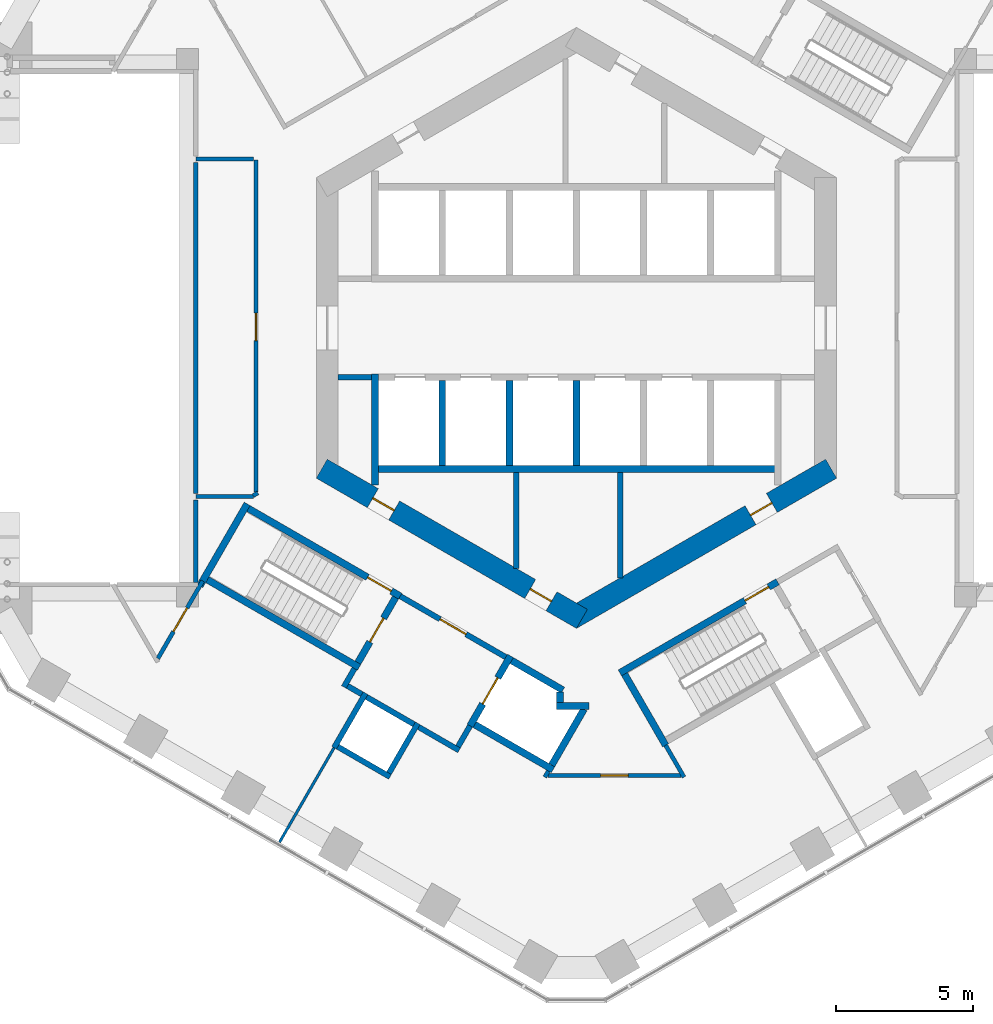
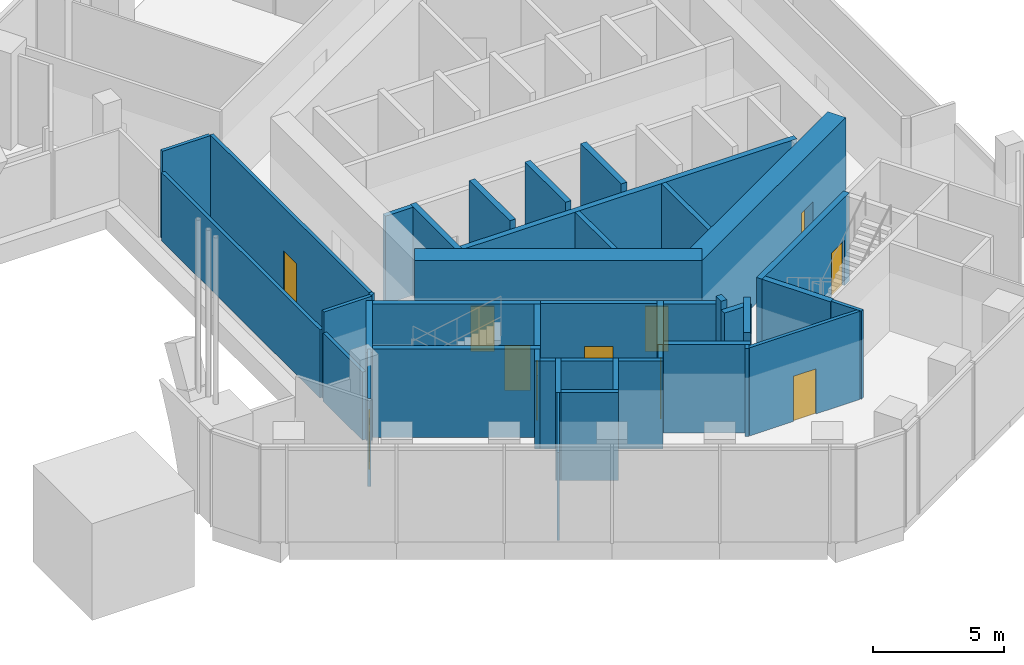
# One storey, part 9 of 14: 42 walls, 11 doors, 11 openings.
"""IFC4 building model written with IfcOpenShell, lengths in metres."""

from ifc_helpers import new_model, si_unit, direction, frame, frame_2d, origin, place, context, subcontext, project, spatial, rectangle, extrude, material, layer, layer_set, type_object, element, fill, save


model = new_model("IFC4")

# Units and contexts
model_context = context("Model", 3, precision=1e-05, world=origin(), true_north=direction((0.0, 1.0)))
body_context = subcontext(model_context, "Body", "Model", "MODEL_VIEW")
ifc_project = project(units=[si_unit("LENGTHUNIT", "METRE"), si_unit("AREAUNIT", "SQUARE_METRE"), si_unit("VOLUMEUNIT", "CUBIC_METRE"), si_unit("PLANEANGLEUNIT", "RADIAN"), si_unit("MASSUNIT", "GRAM", prefix="KILO")], contexts=[model_context])

# Site, building, storey
site_placement = place(None, origin())
site = spatial("IfcSite", under=ifc_project, at=site_placement, CompositionType="ELEMENT")
building_placement = place(site_placement, origin())
building = spatial("IfcBuilding", under=site, at=building_placement, Name="Ayvan Gate Tower", CompositionType="ELEMENT")
storey_placement = place(building_placement, frame((0.0, 0.0, 7.0)))
storey = spatial("IfcBuildingStorey", under=building, at=storey_placement, Name="L01", CompositionType="ELEMENT", Elevation=7.0)

# Wall, openings, doors
ifc_material_1 = material(Name="Concrete C70/85", Category="concrete")
ifc_layer_1 = layer(ifc_material_1, 0.800048828125)
ifc_layer_set_1 = layer_set([ifc_layer_1], Name="Concrete C70/85")
wall_type_1 = type_object("IfcWallType", Name="Core wall 800 C70/85", PredefinedType="SHEAR", material=ifc_layer_set_1)
wall_1_placement = place(storey_placement, frame((-9.300048828125, -5.138427734375, 0.0), z_axis=(0.0, 0.0, 1.0), x_axis=(0.866023993627, -0.500002442456, 0.0)))
wall_1 = element("IfcWall", 1, at=wall_1_placement, inside=storey, type_object=wall_type_1, Name="CORE-L01-4", PredefinedType="SHEAR", context=body_context, shape_type="SweptSolid", body=[
    extrude(rectangle(XDim=10.9697265625, YDim=0.800048828125, at=frame_2d((5.48486328125, 0.0))), origin(), (0.0, 0.0, 1.0), 4.5),
])
opening_1_placement = place(wall_1_placement, frame((2.1533203125, 0.0, 0.0)))
opening_1 = element("IfcOpeningElement", 2, at=opening_1_placement, cuts=wall_1, Name="Opening L01-D30", PredefinedType="OPENING", context=body_context, shape_type="SweptSolid", body=[
    extrude(rectangle(XDim=0.89990234375, YDim=2.10009765625, at=frame_2d((0.449951171875, 1.050048828125))), frame((0.0, 0.409912109375, 0.0), z_axis=(0.0, -1.0, 0.0), x_axis=(1.0, 0.0, 0.0)), (0.0, 0.0, 1.0), 0.820068359375),
])
opening_2_placement = place(wall_1_placement, frame((8.787109375, 0.0, 0.0)))
opening_2 = element("IfcOpeningElement", 3, at=opening_2_placement, cuts=wall_1, Name="Opening L01-D31", PredefinedType="OPENING", context=body_context, shape_type="SweptSolid", body=[
    extrude(rectangle(XDim=0.89990234375, YDim=2.10009765625, at=frame_2d((0.449951171875, 1.050048828125))), frame((0.0, 0.409912109375, 0.0), z_axis=(0.0, -1.0, 0.0), x_axis=(1.0, 0.0, 0.0)), (0.0, 0.0, 1.0), 0.820068359375),
])
ifc_material_2 = material(Name="Timber door leaf", Category="wood")
door_type_1 = type_object("IfcDoorType", Name="DT-900", OperationType="NOTDEFINED", PredefinedType="DOOR", material=ifc_material_2)
door_1_placement = place(opening_1_placement, origin())
door_1 = element("IfcDoor", 4, at=door_1_placement, inside=storey, type_object=door_type_1, Name="CD-L01-30", OperationType="SINGLE_SWING_LEFT", OverallHeight=2.10009765625, OverallWidth=0.89990234375, PredefinedType="DOOR", context=body_context, shape_type="SweptSolid", body=[
    extrude(rectangle(XDim=0.89990234375, YDim=2.10009765625, at=frame_2d((0.449951171875, 1.050048828125))), frame((0.0, 0.02490234375, 0.0), z_axis=(0.0, -1.0, 0.0), x_axis=(1.0, 0.0, 0.0)), (0.0, 0.0, 1.0), 0.050048828125),
])
fill(opening_1, door_1)
door_2_placement = place(opening_2_placement, origin())
door_2 = element("IfcDoor", 5, at=door_2_placement, inside=storey, type_object=door_type_1, Name="CD-L01-31", OperationType="SINGLE_SWING_RIGHT", OverallHeight=2.10009765625, OverallWidth=0.89990234375, PredefinedType="DOOR", context=body_context, shape_type="SweptSolid", body=[
    extrude(rectangle(XDim=0.89990234375, YDim=2.10009765625, at=frame_2d((0.449951171875, 1.050048828125))), frame((0.0, 0.02490234375, 0.0), z_axis=(0.0, -1.0, 0.0), x_axis=(1.0, 0.0, 0.0)), (0.0, 0.0, 1.0), 0.050048828125),
])
fill(opening_2, door_2)

# Wall, opening, door
wall_2_placement = place(storey_placement, frame((-0.199951171875, -10.623291015625, 0.0), z_axis=(0.0, 0.0, 1.0), x_axis=(0.866023993627, 0.500002442456, 0.0)))
wall_2 = element("IfcWall", 6, at=wall_2_placement, inside=storey, type_object=wall_type_1, Name="CORE-L01-5", PredefinedType="SHEAR", context=body_context, shape_type="SweptSolid", body=[
    extrude(rectangle(XDim=10.9697265625, YDim=0.800048828125, at=frame_2d((5.48486328125, 0.0))), origin(), (0.0, 0.0, 1.0), 4.5),
])
opening_3_placement = place(wall_2_placement, frame((7.570068359375, 0.0, 0.0)))
opening_3 = element("IfcOpeningElement", 7, at=opening_3_placement, cuts=wall_2, Name="Opening L01-D32", PredefinedType="OPENING", context=body_context, shape_type="SweptSolid", body=[
    extrude(rectangle(XDim=0.89990234375, YDim=2.10009765625, at=frame_2d((0.449951171875, 1.050048828125))), frame((0.0, 0.409912109375, 0.0), z_axis=(0.0, -1.0, 0.0), x_axis=(1.0, 0.0, 0.0)), (0.0, 0.0, 1.0), 0.820068359375),
])
door_3_placement = place(opening_3_placement, origin())
door_3 = element("IfcDoor", 8, at=door_3_placement, inside=storey, type_object=door_type_1, Name="CD-L01-32", OperationType="SINGLE_SWING_LEFT", OverallHeight=2.10009765625, OverallWidth=0.89990234375, PredefinedType="DOOR", context=body_context, shape_type="SweptSolid", body=[
    extrude(rectangle(XDim=0.89990234375, YDim=2.10009765625, at=frame_2d((0.449951171875, 1.050048828125))), frame((0.0, 0.02490234375, 0.0), z_axis=(0.0, -1.0, 0.0), x_axis=(1.0, 0.0, 0.0)), (0.0, 0.0, 1.0), 0.050048828125),
])
fill(opening_3, door_3)

# Walls
ifc_material_3 = material(Name="Plasterboard on steel stud", Category="steel")
ifc_layer_2 = layer(ifc_material_3, 0.14990234375)
ifc_layer_set_2 = layer_set([ifc_layer_2], Name="Plasterboard on steel stud")
wall_type_2 = type_object("IfcWallType", Name="WT-CORR-150", PredefinedType="PARTITIONING", material=ifc_layer_set_2)
wall_3_placement = place(storey_placement, frame((-13.89990234375, -9.29296875, 0.0), z_axis=(0.0, 0.0, 1.0), x_axis=(0.0, 1.0, 0.0)))
element("IfcWall", 9, at=wall_3_placement, inside=storey, type_object=wall_type_2, Name="IW-L01-010", PredefinedType="PARTITIONING", context=body_context, shape_type="SweptSolid", body=[
    extrude(rectangle(XDim=3.01220703125, YDim=0.14990234375, at=frame_2d((1.506103515625, 0.0))), origin(), (0.0, 0.0, 1.0), 3.175048828125),
])
wall_4_placement = place(storey_placement, frame((-13.89990234375, -6.160888671875, 0.0), z_axis=(0.0, 0.0, 1.0), x_axis=(1.0, 0.0, 0.0)))
element("IfcWall", 10, at=wall_4_placement, inside=storey, type_object=wall_type_2, Name="IW-L01-011", PredefinedType="PARTITIONING", context=body_context, shape_type="SweptSolid", body=[
    extrude(rectangle(XDim=2.10400390625, YDim=0.14990234375, at=frame_2d((1.052001953125, 0.0))), origin(), (0.0, 0.0, 1.0), 4.10009765625),
])
wall_5_placement = place(storey_placement, frame((-13.89990234375, -6.040771484375, 0.0), z_axis=(0.0, 0.0, 1.0), x_axis=(0.0, 1.0, 0.0)))
element("IfcWall", 11, at=wall_5_placement, inside=storey, type_object=wall_type_2, Name="IW-L01-012", PredefinedType="PARTITIONING", context=body_context, shape_type="SweptSolid", body=[
    extrude(rectangle(XDim=12.08154296875, YDim=0.14990234375, at=frame_2d((6.040771484375, 0.0))), origin(), (0.0, 0.0, 1.0), 3.175048828125),
])

# Wall, opening, door
wall_6_placement = place(storey_placement, frame((-13.647705078125, -9.23876953125, 0.0), z_axis=(0.0, 0.0, 1.0), x_axis=(-0.50004125829, -0.866001581989, 0.0)))
wall_6 = element("IfcWall", 12, at=wall_6_placement, inside=storey, type_object=wall_type_2, Name="IW-L01-016", PredefinedType="PARTITIONING", context=body_context, shape_type="SweptSolid", body=[
    extrude(rectangle(XDim=3.270263671875, YDim=0.14990234375, at=frame_2d((1.63525390625, 0.0))), origin(), (0.0, 0.0, 1.0), 4.10009765625),
])
opening_4_placement = place(wall_6_placement, frame((1.13525390625, 0.0, 0.0)))
opening_4 = element("IfcOpeningElement", 13, at=opening_4_placement, cuts=wall_6, Name="Opening L01-D24", PredefinedType="OPENING", context=body_context, shape_type="SweptSolid", body=[
    extrude(rectangle(XDim=1.0, YDim=2.10009765625, at=frame_2d((0.5, 1.050048828125))), frame((0.0, 0.0849609375, 0.0), z_axis=(0.0, -1.0, 0.0), x_axis=(1.0, 0.0, 0.0)), (0.0, 0.0, 1.0), 0.169921875),
])
door_type_2 = type_object("IfcDoorType", Name="DT-1000", OperationType="NOTDEFINED", PredefinedType="DOOR", material=ifc_material_2)
door_4_placement = place(opening_4_placement, origin())
door_4 = element("IfcDoor", 14, at=door_4_placement, inside=storey, type_object=door_type_2, Name="ID-L01-024", OperationType="SINGLE_SWING_LEFT", OverallHeight=2.10009765625, OverallWidth=1.0, PredefinedType="DOOR", context=body_context, shape_type="SweptSolid", body=[
    extrude(rectangle(XDim=1.0, YDim=2.10009765625, at=frame_2d((0.5, 1.050048828125))), frame((0.0, 0.02490234375, 0.0), z_axis=(0.0, -1.0, 0.0), x_axis=(1.0, 0.0, 0.0)), (0.0, 0.0, 1.0), 0.050048828125),
])
fill(opening_4, door_4)

# Walls
wall_7_placement = place(storey_placement, frame((-11.7958984375, 6.160888671875, 0.0), z_axis=(0.0, 0.0, 1.0), x_axis=(-1.0, 0.0, 0.0)))
element("IfcWall", 15, at=wall_7_placement, inside=storey, type_object=wall_type_2, Name="IW-L01-018", PredefinedType="PARTITIONING", context=body_context, shape_type="SweptSolid", body=[
    extrude(rectangle(XDim=2.10400390625, YDim=0.14990234375, at=frame_2d((1.052001953125, 0.0))), origin(), (0.0, 0.0, 1.0), 4.10009765625),
])
wall_8_placement = place(storey_placement, frame((-11.805908203125, -6.123291015625, 0.0), z_axis=(0.0, 0.0, 1.0), x_axis=(0.866103179807, 0.499865263774, 0.0)))
element("IfcWall", 16, at=wall_8_placement, inside=storey, type_object=wall_type_2, Name="IW-L01-019", PredefinedType="PARTITIONING", context=body_context, shape_type="SweptSolid", body=[
    extrude(rectangle(XDim=0.197265625, YDim=0.14990234375, at=frame_2d((0.0986328125, 0.0))), origin(), (0.0, 0.0, 1.0), 4.10009765625),
])

# Wall, opening, door
wall_9_placement = place(storey_placement, frame((-11.699951171875, -5.9873046875, 0.0), z_axis=(0.0, 0.0, 1.0), x_axis=(0.0, 1.0, 0.0)))
wall_9 = element("IfcWall", 17, at=wall_9_placement, inside=storey, type_object=wall_type_2, Name="IW-L01-020", PredefinedType="PARTITIONING", context=body_context, shape_type="SweptSolid", body=[
    extrude(rectangle(XDim=12.12451171875, YDim=0.14990234375, at=frame_2d((6.062255859375, 0.0))), origin(), (0.0, 0.0, 1.0), 4.10009765625),
])
opening_5_placement = place(wall_9_placement, frame((5.524658203125, 0.0, 0.0)))
opening_5 = element("IfcOpeningElement", 18, at=opening_5_placement, cuts=wall_9, Name="Opening L01-D26", PredefinedType="OPENING", context=body_context, shape_type="SweptSolid", body=[
    extrude(rectangle(XDim=1.0, YDim=2.10009765625, at=frame_2d((0.5, 1.050048828125))), frame((0.0, 0.0849609375, 0.0), z_axis=(0.0, -1.0, 0.0), x_axis=(1.0, 0.0, 0.0)), (0.0, 0.0, 1.0), 0.169921875),
])
door_5_placement = place(opening_5_placement, origin())
door_5 = element("IfcDoor", 19, at=door_5_placement, inside=storey, type_object=door_type_2, Name="ID-L01-026", OperationType="SINGLE_SWING_LEFT", OverallHeight=2.10009765625, OverallWidth=1.0, PredefinedType="DOOR", context=body_context, shape_type="SweptSolid", body=[
    extrude(rectangle(XDim=1.0, YDim=2.10009765625, at=frame_2d((0.5, 1.050048828125))), frame((0.0, 0.02490234375, 0.0), z_axis=(0.0, -1.0, 0.0), x_axis=(1.0, 0.0, 0.0)), (0.0, 0.0, 1.0), 0.050048828125),
])
fill(opening_5, door_5)

# Walls
wall_10_placement = place(storey_placement, frame((-1.1552734375, -16.40087890625, 0.0), z_axis=(0.0, 0.0, 1.0), x_axis=(0.500134748329, 0.865947592822, 0.0)))
element("IfcWall", 20, at=wall_10_placement, inside=storey, type_object=wall_type_2, Name="IW-L01-053", PredefinedType="PARTITIONING", context=body_context, shape_type="SweptSolid", body=[
    extrude(rectangle(XDim=0.25634765625, YDim=0.14990234375, at=frame_2d((0.128173828125, 0.0))), origin(), (0.0, 0.0, 1.0), 4.10009765625),
])
wall_11_placement = place(storey_placement, frame((3.255615234375, -15.23876953125, 0.0), z_axis=(0.0, 0.0, 1.0), x_axis=(0.499974444137, -0.866040157966, 0.0)))
element("IfcWall", 21, at=wall_11_placement, inside=storey, type_object=wall_type_2, Name="IW-L01-074", PredefinedType="PARTITIONING", context=body_context, shape_type="SweptSolid", body=[
    extrude(rectangle(XDim=1.341796875, YDim=0.14990234375, at=frame_2d((0.6708984375, 0.0))), origin(), (0.0, 0.0, 1.0), 4.10009765625),
])

# Wall, opening, door
wall_12_placement = place(storey_placement, frame((3.81396484375, -16.3359375, 0.0), z_axis=(0.0, 0.0, 1.0), x_axis=(-1.0, 0.0, 0.0)))
wall_12 = element("IfcWall", 22, at=wall_12_placement, inside=storey, type_object=wall_type_2, Name="IW-L01-078", PredefinedType="PARTITIONING", context=body_context, shape_type="SweptSolid", body=[
    extrude(rectangle(XDim=4.856689453125, YDim=0.14990234375, at=frame_2d((2.42822265625, 0.0))), origin(), (0.0, 0.0, 1.0), 4.10009765625),
])
opening_6_placement = place(wall_12_placement, frame((1.92822265625, 0.0, 0.0)))
opening_6 = element("IfcOpeningElement", 23, at=opening_6_placement, cuts=wall_12, Name="Opening L01-D21", PredefinedType="OPENING", context=body_context, shape_type="SweptSolid", body=[
    extrude(rectangle(XDim=1.0, YDim=2.10009765625, at=frame_2d((0.5, 1.050048828125))), frame((0.0, 0.0849609375, 0.0), z_axis=(0.0, -1.0, 0.0), x_axis=(1.0, 0.0, 0.0)), (0.0, 0.0, 1.0), 0.169921875),
])
door_6_placement = place(opening_6_placement, origin())
door_6 = element("IfcDoor", 24, at=door_6_placement, inside=storey, type_object=door_type_2, Name="ID-L01-021", OperationType="SINGLE_SWING_RIGHT", OverallHeight=2.10009765625, OverallWidth=1.0, PredefinedType="DOOR", context=body_context, shape_type="SweptSolid", body=[
    extrude(rectangle(XDim=1.0, YDim=2.10009765625, at=frame_2d((0.5, 1.050048828125))), frame((0.0, 0.02490234375, 0.0), z_axis=(0.0, -1.0, 0.0), x_axis=(1.0, 0.0, 0.0)), (0.0, 0.0, 1.0), 0.050048828125),
])
fill(opening_6, door_6)

# Walls
ifc_layer_3 = layer(ifc_material_3, 0.10009765625)
ifc_layer_set_3 = layer_set([ifc_layer_3], Name="Plasterboard on steel stud")
wall_type_3 = type_object("IfcWallType", Name="WT-PART-100", PredefinedType="PARTITIONING", material=ifc_layer_set_3)
wall_13_placement = place(storey_placement, frame((-10.84033203125, -18.77587890625, 0.0), z_axis=(0.0, 0.0, 1.0), x_axis=(0.499991453095, 0.866030338286, 0.0)))
element("IfcWall", 25, at=wall_13_placement, inside=storey, type_object=wall_type_3, Name="IW-L01-023", PredefinedType="PARTITIONING", context=body_context, shape_type="SweptSolid", body=[
    extrude(rectangle(XDim=3.98046875, YDim=0.10009765625, at=frame_2d((1.990234375, 0.0))), origin(), (0.0, 0.0, 1.0), 4.10009765625),
])
ifc_layer_4 = layer(ifc_material_3, 0.199951171875)
ifc_layer_set_4 = layer_set([ifc_layer_4], Name="Plasterboard on steel stud")
wall_type_4 = type_object("IfcWallType", Name="WT-PLUMB-200", PredefinedType="PLUMBINGWALL", material=ifc_layer_set_4)
wall_14_placement = place(storey_placement, frame((-8.85009765625, -15.32861328125, 0.0), z_axis=(0.0, 0.0, 1.0), x_axis=(0.500077740698, 0.865980515519, 0.0)))
element("IfcWall", 26, at=wall_14_placement, inside=storey, type_object=wall_type_4, Name="IW-L01-024", PredefinedType="PLUMBINGWALL", context=body_context, shape_type="SweptSolid", body=[
    extrude(rectangle(XDim=2.300048828125, YDim=0.199951171875, at=frame_2d((1.14990234375, 0.0))), origin(), (0.0, 0.0, 1.0), 4.10009765625),
])
wall_15_placement = place(storey_placement, frame((-6.80810546875, -16.39208984375, 0.0), z_axis=(0.0, 0.0, 1.0), x_axis=(-0.866008176907, 0.50002983664, 0.0)))
element("IfcWall", 27, at=wall_15_placement, inside=storey, type_object=wall_type_4, Name="IW-L01-035", PredefinedType="PLUMBINGWALL", context=body_context, shape_type="SweptSolid", body=[
    extrude(rectangle(XDim=2.199951171875, YDim=0.199951171875, at=frame_2d((1.10009765625, 0.0))), origin(), (0.0, 0.0, 1.0), 4.10009765625),
])
wall_16_placement = place(storey_placement, frame((-5.794677734375, -14.436767578125, 0.0), z_axis=(0.0, 0.0, 1.0), x_axis=(-0.500027713859, -0.866009402589, 0.0)))
element("IfcWall", 28, at=wall_16_placement, inside=storey, type_object=wall_type_4, Name="IW-L01-038", PredefinedType="PLUMBINGWALL", context=body_context, shape_type="SweptSolid", body=[
    extrude(rectangle(XDim=2.10009765625, YDim=0.199951171875, at=frame_2d((1.050048828125, 0.0))), origin(), (0.0, 0.0, 1.0), 4.10009765625),
])
wall_17_placement = place(storey_placement, frame((-5.931396484375, -14.473388671875, 0.0), z_axis=(0.0, 0.0, 1.0), x_axis=(-0.866041268327, 0.499972520799, 0.0)))
element("IfcWall", 29, at=wall_17_placement, inside=storey, type_object=wall_type_4, Name="IW-L01-039", PredefinedType="PLUMBINGWALL", context=body_context, shape_type="SweptSolid", body=[
    extrude(rectangle(XDim=2.0, YDim=0.199951171875, at=frame_2d((1.0, 0.0))), origin(), (0.0, 0.0, 1.0), 4.10009765625),
])
ifc_layer_5 = layer(ifc_material_3, 0.199951171875)
ifc_layer_set_5 = layer_set([ifc_layer_5], Name="Plasterboard on steel stud")
wall_type_5 = type_object("IfcWallType", Name="WT-RATED-200", PredefinedType="PARTITIONING", material=ifc_layer_set_5)
wall_18_placement = place(storey_placement, frame((-8.492919921875, -13.110107421875, 0.0), z_axis=(0.0, 0.0, 1.0), x_axis=(0.500067724834, 0.865986299303, 0.0)))
element("IfcWall", 30, at=wall_18_placement, inside=storey, type_object=wall_type_5, Name="IW-L01-026", PredefinedType="PARTITIONING", context=body_context, shape_type="SweptSolid", body=[
    extrude(rectangle(XDim=0.775390625, YDim=0.199951171875, at=frame_2d((0.3876953125, 0.0))), origin(), (0.0, 0.0, 1.0), 4.10009765625),
])
wall_19_placement = place(storey_placement, frame((-7.83642578125, -13.373291015625, 0.0), z_axis=(0.0, 0.0, 1.0), x_axis=(-0.866232998003, 0.499640263761, 0.0)))
element("IfcWall", 31, at=wall_19_placement, inside=storey, type_object=wall_type_5, Name="IW-L01-028", PredefinedType="PARTITIONING", context=body_context, shape_type="SweptSolid", body=[
    extrude(rectangle(XDim=0.60009765625, YDim=0.199951171875, at=frame_2d((0.300048828125, 0.0))), origin(), (0.0, 0.0, 1.0), 4.10009765625),
])
wall_20_placement = place(storey_placement, frame((-7.474853515625, -1.800048828125, 0.0), z_axis=(0.0, 0.0, 1.0), x_axis=(-1.0, 0.0, 0.0)))
element("IfcWall", 32, at=wall_20_placement, inside=storey, type_object=wall_type_5, Name="IW-L01-034", PredefinedType="PARTITIONING", context=body_context, shape_type="SweptSolid", body=[
    extrude(rectangle(XDim=1.22509765625, YDim=0.199951171875, at=frame_2d((0.612548828125, 0.0))), origin(), (0.0, 0.0, 1.0), 4.10009765625),
])

# Wall, opening, door
wall_21_placement = place(storey_placement, frame((-6.4345703125, -9.794921875, 0.0), z_axis=(0.0, 0.0, 1.0), x_axis=(0.866012907634, -0.500021643343, 0.0)))
wall_21 = element("IfcWall", 33, at=wall_21_placement, inside=storey, type_object=wall_type_5, Name="IW-L01-037", PredefinedType="PARTITIONING", context=body_context, shape_type="SweptSolid", body=[
    extrude(rectangle(XDim=4.449951171875, YDim=0.199951171875, at=frame_2d((2.22509765625, 0.0))), origin(), (0.0, 0.0, 1.0), 4.10009765625),
])
opening_7_placement = place(wall_21_placement, frame((1.675048828125, 0.0, 0.0)))
opening_7 = element("IfcOpeningElement", 34, at=opening_7_placement, cuts=wall_21, Name="Opening L01-D12", PredefinedType="OPENING", context=body_context, shape_type="SweptSolid", body=[
    extrude(rectangle(XDim=1.10009765625, YDim=2.10009765625, at=frame_2d((0.550048828125, 1.050048828125))), frame((0.0, 0.10986328125, 0.0), z_axis=(0.0, -1.0, 0.0), x_axis=(1.0, 0.0, 0.0)), (0.0, 0.0, 1.0), 0.219970703125),
])
door_type_3 = type_object("IfcDoorType", Name="DT-1100", OperationType="NOTDEFINED", PredefinedType="DOOR", material=ifc_material_2)
door_7_placement = place(opening_7_placement, origin())
door_7 = element("IfcDoor", 35, at=door_7_placement, inside=storey, type_object=door_type_3, Name="ID-L01-012", OperationType="SINGLE_SWING_LEFT", OverallHeight=2.10009765625, OverallWidth=1.10009765625, PredefinedType="DOOR", context=body_context, shape_type="SweptSolid", body=[
    extrude(rectangle(XDim=1.10009765625, YDim=2.10009765625, at=frame_2d((0.550048828125, 1.050048828125))), frame((0.0, 0.02490234375, 0.0), z_axis=(0.0, -1.0, 0.0), x_axis=(1.0, 0.0, 0.0)), (0.0, 0.0, 1.0), 0.050048828125),
])
fill(opening_7, door_7)

# Walls
wall_22_placement = place(storey_placement, frame((-4.285888671875, -15.42333984375, 0.0), z_axis=(0.0, 0.0, 1.0), x_axis=(-0.866025371046, 0.500000056704, 0.0)))
element("IfcWall", 36, at=wall_22_placement, inside=storey, type_object=wall_type_5, Name="IW-L01-045", PredefinedType="PARTITIONING", context=body_context, shape_type="SweptSolid", body=[
    extrude(rectangle(XDim=1.7001953125, YDim=0.199951171875, at=frame_2d((0.85009765625, 0.0))), origin(), (0.0, 0.0, 1.0), 4.10009765625),
])
wall_23_placement = place(storey_placement, frame((-3.885009765625, -14.52880859375, 0.0), z_axis=(0.0, 0.0, 1.0), x_axis=(-0.499859285417, -0.866106630146, 0.0)))
element("IfcWall", 37, at=wall_23_placement, inside=storey, type_object=wall_type_5, Name="IW-L01-046", PredefinedType="PARTITIONING", context=body_context, shape_type="SweptSolid", body=[
    extrude(rectangle(XDim=0.875244140625, YDim=0.199951171875, at=frame_2d((0.4375, 0.0))), origin(), (0.0, 0.0, 1.0), 4.10009765625),
])
wall_24_placement = place(storey_placement, frame((-2.199951171875, -5.27490234375, 0.0), z_axis=(0.0, 0.0, 1.0), x_axis=(0.0, -1.0, 0.0)))
element("IfcWall", 38, at=wall_24_placement, inside=storey, type_object=wall_type_5, Name="IW-L01-052", PredefinedType="PARTITIONING", context=body_context, shape_type="SweptSolid", body=[
    extrude(rectangle(XDim=3.500732421875, YDim=0.199951171875, at=frame_2d((1.75048828125, 0.0))), origin(), (0.0, 0.0, 1.0), 4.10009765625),
])
wall_25_placement = place(storey_placement, frame((1.60009765625, -5.27490234375, 0.0), z_axis=(0.0, 0.0, 1.0), x_axis=(0.0, -1.0, 0.0)))
element("IfcWall", 39, at=wall_25_placement, inside=storey, type_object=wall_type_5, Name="IW-L01-068", PredefinedType="PARTITIONING", context=body_context, shape_type="SweptSolid", body=[
    extrude(rectangle(XDim=3.84716796875, YDim=0.199951171875, at=frame_2d((1.923583984375, 0.0))), origin(), (0.0, 0.0, 1.0), 4.10009765625),
])
ifc_material_4 = material(Name="Concrete C50/60", Category="concrete")
ifc_layer_6 = layer(ifc_material_4, 0.25)
ifc_layer_set_6 = layer_set([ifc_layer_6], Name="Concrete C50/60")
wall_type_6 = type_object("IfcWallType", Name="WT-RC-250", PredefinedType="SHEAR", material=ifc_layer_set_6)
wall_26_placement = place(storey_placement, frame((-13.7548828125, -9.424072265625, 0.0), z_axis=(0.0, 0.0, 1.0), x_axis=(0.500005140434, 0.866022435933, 0.0)))
element("IfcWall", 40, at=wall_26_placement, inside=storey, type_object=wall_type_6, Name="IW-L01-015", PredefinedType="SHEAR", context=body_context, shape_type="SweptSolid", body=[
    extrude(rectangle(XDim=3.4638671875, YDim=0.25, at=frame_2d((1.73193359375, 0.0))), origin(), (0.0, 0.0, 1.0), 4.10009765625),
])

# Wall, opening, door
wall_27_placement = place(storey_placement, frame((-11.97705078125, -6.594970703125, 0.0), z_axis=(0.0, 0.0, 1.0), x_axis=(0.866025499775, -0.499999833739, 0.0)))
wall_27 = element("IfcWall", 41, at=wall_27_placement, inside=storey, type_object=wall_type_6, Name="IW-L01-017", PredefinedType="SHEAR", context=body_context, shape_type="SweptSolid", body=[
    extrude(rectangle(XDim=6.39990234375, YDim=0.25, at=frame_2d((3.199951171875, 0.0))), origin(), (0.0, 0.0, 1.0), 4.10009765625),
])
opening_8_placement = place(wall_27_placement, frame((5.02490234375, 0.0, 0.0)))
opening_8 = element("IfcOpeningElement", 42, at=opening_8_placement, cuts=wall_27, Name="Opening L01-D10", PredefinedType="OPENING", context=body_context, shape_type="SweptSolid", body=[
    extrude(rectangle(XDim=1.0, YDim=2.10009765625, at=frame_2d((0.5, 1.050048828125))), frame((0.0, 0.135009765625, 0.0), z_axis=(0.0, -1.0, 0.0), x_axis=(1.0, 0.0, 0.0)), (0.0, 0.0, 1.0), 0.27001953125),
])
door_8_placement = place(opening_8_placement, origin())
door_8 = element("IfcDoor", 43, at=door_8_placement, inside=storey, type_object=door_type_2, Name="ID-L01-010", OperationType="SINGLE_SWING_LEFT", OverallHeight=2.10009765625, OverallWidth=1.0, PredefinedType="DOOR", context=body_context, shape_type="SweptSolid", body=[
    extrude(rectangle(XDim=1.0, YDim=2.10009765625, at=frame_2d((0.5, 1.050048828125))), frame((0.0, 0.02490234375, 0.0), z_axis=(0.0, -1.0, 0.0), x_axis=(1.0, 0.0, 0.0)), (0.0, 0.0, 1.0), 0.050048828125),
])
fill(opening_8, door_8)

# Walls
wall_28_placement = place(storey_placement, frame((-7.9345703125, -12.39306640625, 0.0), z_axis=(0.0, 0.0, 1.0), x_axis=(-0.866025499775, 0.499999833739, 0.0)))
element("IfcWall", 44, at=wall_28_placement, inside=storey, type_object=wall_type_6, Name="IW-L01-027", PredefinedType="SHEAR", context=body_context, shape_type="SweptSolid", body=[
    extrude(rectangle(XDim=6.39990234375, YDim=0.25, at=frame_2d((3.199951171875, 0.0))), origin(), (0.0, 0.0, 1.0), 4.10009765625),
])
wall_29_placement = place(storey_placement, frame((-7.35009765625, -5.730224609375, 0.0), z_axis=(0.0, 0.0, 1.0), x_axis=(0.0, 1.0, 0.0)))
element("IfcWall", 45, at=wall_29_placement, inside=storey, type_object=wall_type_6, Name="IW-L01-031", PredefinedType="SHEAR", context=body_context, shape_type="SweptSolid", body=[
    extrude(rectangle(XDim=4.05517578125, YDim=0.25, at=frame_2d((2.027587890625, 0.0))), origin(), (0.0, 0.0, 1.0), 4.10009765625),
])

# Wall, opening, door
wall_30_placement = place(storey_placement, frame((-6.605224609375, -9.8408203125, 0.0), z_axis=(0.0, 0.0, 1.0), x_axis=(-0.499996545922, -0.866027397988, 0.0)))
wall_30 = element("IfcWall", 46, at=wall_30_placement, inside=storey, type_object=wall_type_6, Name="IW-L01-036", PredefinedType="SHEAR", context=body_context, shape_type="SweptSolid", body=[
    extrude(rectangle(XDim=2.75, YDim=0.25, at=frame_2d((1.375, 0.0))), origin(), (0.0, 0.0, 1.0), 4.10009765625),
])
opening_9_placement = place(wall_30_placement, frame((0.875, 0.0, 0.0)))
opening_9 = element("IfcOpeningElement", 47, at=opening_9_placement, cuts=wall_30, Name="Opening L01-D11", PredefinedType="OPENING", context=body_context, shape_type="SweptSolid", body=[
    extrude(rectangle(XDim=1.0, YDim=2.10009765625, at=frame_2d((0.5, 1.050048828125))), frame((0.0, 0.135009765625, 0.0), z_axis=(0.0, -1.0, 0.0), x_axis=(1.0, 0.0, 0.0)), (0.0, 0.0, 1.0), 0.27001953125),
])
door_9_placement = place(opening_9_placement, origin())
door_9 = element("IfcDoor", 48, at=door_9_placement, inside=storey, type_object=door_type_2, Name="ID-L01-011", OperationType="SINGLE_SWING_RIGHT", OverallHeight=2.10009765625, OverallWidth=1.0, PredefinedType="DOOR", context=body_context, shape_type="SweptSolid", body=[
    extrude(rectangle(XDim=1.0, YDim=2.10009765625, at=frame_2d((0.5, 1.050048828125))), frame((0.0, 0.02490234375, 0.0), z_axis=(0.0, -1.0, 0.0), x_axis=(1.0, 0.0, 0.0)), (0.0, 0.0, 1.0), 0.050048828125),
])
fill(opening_9, door_9)

# Walls
wall_31_placement = place(storey_placement, frame((-7.22509765625, -5.14990234375, 0.0), z_axis=(0.0, 0.0, 1.0), x_axis=(1.0, 0.0, 0.0)))
element("IfcWall", 49, at=wall_31_placement, inside=storey, type_object=wall_type_6, Name="IW-L01-041", PredefinedType="SHEAR", context=body_context, shape_type="SweptSolid", body=[
    extrude(rectangle(XDim=14.7001953125, YDim=0.25, at=frame_2d((7.35009765625, 0.0))), origin(), (0.0, 0.0, 1.0), 4.10009765625),
])
wall_32_placement = place(storey_placement, frame((-4.89990234375, -1.925048828125, 0.0), z_axis=(0.0, 0.0, 1.0), x_axis=(0.0, -1.0, 0.0)))
element("IfcWall", 50, at=wall_32_placement, inside=storey, type_object=wall_type_6, Name="IW-L01-042", PredefinedType="SHEAR", context=body_context, shape_type="SweptSolid", body=[
    extrude(rectangle(XDim=3.099853515625, YDim=0.25, at=frame_2d((1.5498046875, 0.0))), origin(), (0.0, 0.0, 1.0), 4.5),
])

# Wall, opening, door
wall_33_placement = place(storey_placement, frame((-2.409912109375, -11.97412109375, 0.0), z_axis=(0.0, 0.0, 1.0), x_axis=(-0.500001826776, -0.866024349092, 0.0)))
wall_33 = element("IfcWall", 51, at=wall_33_placement, inside=storey, type_object=wall_type_6, Name="IW-L01-048", PredefinedType="SHEAR", context=body_context, shape_type="SweptSolid", body=[
    extrude(rectangle(XDim=2.9501953125, YDim=0.25, at=frame_2d((1.47509765625, 0.0))), origin(), (0.0, 0.0, 1.0), 4.10009765625),
])
opening_10_placement = place(wall_33_placement, frame((0.925048828125, 0.0, 0.0)))
opening_10 = element("IfcOpeningElement", 52, at=opening_10_placement, cuts=wall_33, Name="Opening L01-LD-FF2", PredefinedType="OPENING", context=body_context, shape_type="SweptSolid", body=[
    extrude(rectangle(XDim=1.10009765625, YDim=2.10009765625, at=frame_2d((0.550048828125, 1.050048828125))), frame((0.0, 0.135009765625, 0.0), z_axis=(0.0, -1.0, 0.0), x_axis=(1.0, 0.0, 0.0)), (0.0, 0.0, 1.0), 0.27001953125),
])
ifc_material_5 = material(Name="Stainless steel landing door", Category="steel")
door_type_4 = type_object("IfcDoorType", Name="DT-LANDING-1100", OperationType="SLIDING_TO_LEFT", PredefinedType="DOOR", material=ifc_material_5)
door_10_placement = place(opening_10_placement, origin())
door_10 = element("IfcDoor", 53, at=door_10_placement, inside=storey, type_object=door_type_4, Name="ID-L01-013", OperationType="SLIDING_TO_LEFT", OverallHeight=2.10009765625, OverallWidth=1.10009765625, PredefinedType="DOOR", context=body_context, shape_type="SweptSolid", body=[
    extrude(rectangle(XDim=1.10009765625, YDim=2.10009765625, at=frame_2d((0.550048828125, 1.050048828125))), frame((0.0, 0.02490234375, 0.0), z_axis=(0.0, -1.0, 0.0), x_axis=(1.0, 0.0, 0.0)), (0.0, 0.0, 1.0), 0.050048828125),
])
fill(opening_10, door_10)

# Walls
wall_34_placement = place(storey_placement, frame((-2.3642578125, -12.14501953125, 0.0), z_axis=(0.0, 0.0, 1.0), x_axis=(0.86603892542, -0.499976579108, 0.0)))
element("IfcWall", 54, at=wall_34_placement, inside=storey, type_object=wall_type_6, Name="IW-L01-049", PredefinedType="SHEAR", context=body_context, shape_type="SweptSolid", body=[
    extrude(rectangle(XDim=2.162109375, YDim=0.25, at=frame_2d((1.0810546875, 0.0))), origin(), (0.0, 0.0, 1.0), 4.10009765625),
])
wall_35_placement = place(storey_placement, frame((-2.449951171875, -1.925048828125, 0.0), z_axis=(0.0, 0.0, 1.0), x_axis=(0.0, -1.0, 0.0)))
element("IfcWall", 55, at=wall_35_placement, inside=storey, type_object=wall_type_6, Name="IW-L01-050", PredefinedType="SHEAR", context=body_context, shape_type="SweptSolid", body=[
    extrude(rectangle(XDim=3.099853515625, YDim=0.25, at=frame_2d((1.5498046875, 0.0))), origin(), (0.0, 0.0, 1.0), 4.5),
])
wall_36_placement = place(storey_placement, frame((-0.8564453125, -16.13330078125, 0.0), z_axis=(0.0, 0.0, 1.0), x_axis=(-0.866021716278, 0.500006386895, 0.0)))
element("IfcWall", 56, at=wall_36_placement, inside=storey, type_object=wall_type_6, Name="IW-L01-054", PredefinedType="SHEAR", context=body_context, shape_type="SweptSolid", body=[
    extrude(rectangle(XDim=3.2998046875, YDim=0.25, at=frame_2d((1.64990234375, 0.0))), origin(), (0.0, 0.0, 1.0), 4.10009765625),
])
wall_37_placement = place(storey_placement, frame((-0.72509765625, -13.81005859375, 0.0), z_axis=(0.0, 0.0, 1.0), x_axis=(1.0, 0.0, 0.0)))
element("IfcWall", 57, at=wall_37_placement, inside=storey, type_object=wall_type_6, Name="IW-L01-055", PredefinedType="SHEAR", context=body_context, shape_type="SweptSolid", body=[
    extrude(rectangle(XDim=1.190673828125, YDim=0.25, at=frame_2d((0.59521484375, 0.0))), origin(), (0.0, 0.0, 1.0), 4.10009765625),
])
wall_38_placement = place(storey_placement, frame((-0.60009765625, -13.28857421875, 0.0), z_axis=(0.0, 0.0, 1.0), x_axis=(0.0, -1.0, 0.0)))
element("IfcWall", 58, at=wall_38_placement, inside=storey, type_object=wall_type_6, Name="IW-L01-056", PredefinedType="SHEAR", context=body_context, shape_type="SweptSolid", body=[
    extrude(rectangle(XDim=0.396484375, YDim=0.25, at=frame_2d((0.1982421875, 0.0))), origin(), (0.0, 0.0, 1.0), 4.5),
])
wall_39_placement = place(storey_placement, frame((0.0, -1.925048828125, 0.0), z_axis=(0.0, 0.0, 1.0), x_axis=(0.0, -1.0, 0.0)))
element("IfcWall", 59, at=wall_39_placement, inside=storey, type_object=wall_type_6, Name="IW-L01-061", PredefinedType="SHEAR", context=body_context, shape_type="SweptSolid", body=[
    extrude(rectangle(XDim=3.099853515625, YDim=0.25, at=frame_2d((1.5498046875, 0.0))), origin(), (0.0, 0.0, 1.0), 4.5),
])
wall_40_placement = place(storey_placement, frame((0.278076171875, -13.918212890625, 0.0), z_axis=(0.0, 0.0, 1.0), x_axis=(-0.49998806882, -0.866032292145, 0.0)))
element("IfcWall", 60, at=wall_40_placement, inside=storey, type_object=wall_type_6, Name="IW-L01-063", PredefinedType="SHEAR", context=body_context, shape_type="SweptSolid", body=[
    extrude(rectangle(XDim=2.3603515625, YDim=0.25, at=frame_2d((1.18017578125, 0.0))), origin(), (0.0, 0.0, 1.0), 4.5),
])

# Wall, opening, door
wall_41_placement = place(storey_placement, frame((1.584716796875, -12.594970703125, 0.0), z_axis=(0.0, 0.0, 1.0), x_axis=(0.866036417653, 0.499980922934, 0.0)))
wall_41 = element("IfcWall", 61, at=wall_41_placement, inside=storey, type_object=wall_type_6, Name="IW-L01-069", PredefinedType="SHEAR", context=body_context, shape_type="SweptSolid", body=[
    extrude(rectangle(XDim=6.650146484375, YDim=0.25, at=frame_2d((3.3251953125, 0.0))), origin(), (0.0, 0.0, 1.0), 4.10009765625),
])
opening_11_placement = place(wall_41_placement, frame((5.27490234375, 0.0, 0.0)))
opening_11 = element("IfcOpeningElement", 62, at=opening_11_placement, cuts=wall_41, Name="Opening L01-D14", PredefinedType="OPENING", context=body_context, shape_type="SweptSolid", body=[
    extrude(rectangle(XDim=1.0, YDim=2.10009765625, at=frame_2d((0.5, 1.050048828125))), frame((0.0, 0.135009765625, 0.0), z_axis=(0.0, -1.0, 0.0), x_axis=(1.0, 0.0, 0.0)), (0.0, 0.0, 1.0), 0.27001953125),
])
door_11_placement = place(opening_11_placement, origin())
door_11 = element("IfcDoor", 63, at=door_11_placement, inside=storey, type_object=door_type_2, Name="ID-L01-014", OperationType="SINGLE_SWING_LEFT", OverallHeight=2.10009765625, OverallWidth=1.0, PredefinedType="DOOR", context=body_context, shape_type="SweptSolid", body=[
    extrude(rectangle(XDim=1.0, YDim=2.10009765625, at=frame_2d((0.5, 1.050048828125))), frame((0.0, 0.02490234375, 0.0), z_axis=(0.0, -1.0, 0.0), x_axis=(1.0, 0.0, 0.0)), (0.0, 0.0, 1.0), 0.050048828125),
])
fill(opening_11, door_11)

# Wall
wall_42_placement = place(storey_placement, frame((3.255615234375, -15.23876953125, 0.0), z_axis=(0.0, 0.0, 1.0), x_axis=(-0.50002537861, 0.866010750942, 0.0)))
element("IfcWall", 64, at=wall_42_placement, inside=storey, type_object=wall_type_6, Name="IW-L01-075", PredefinedType="SHEAR", context=body_context, shape_type="SweptSolid", body=[
    extrude(rectangle(XDim=2.999755859375, YDim=0.25, at=frame_2d((1.5, 0.0))), origin(), (0.0, 0.0, 1.0), 4.10009765625),
])

save(model, "model.ifc")
